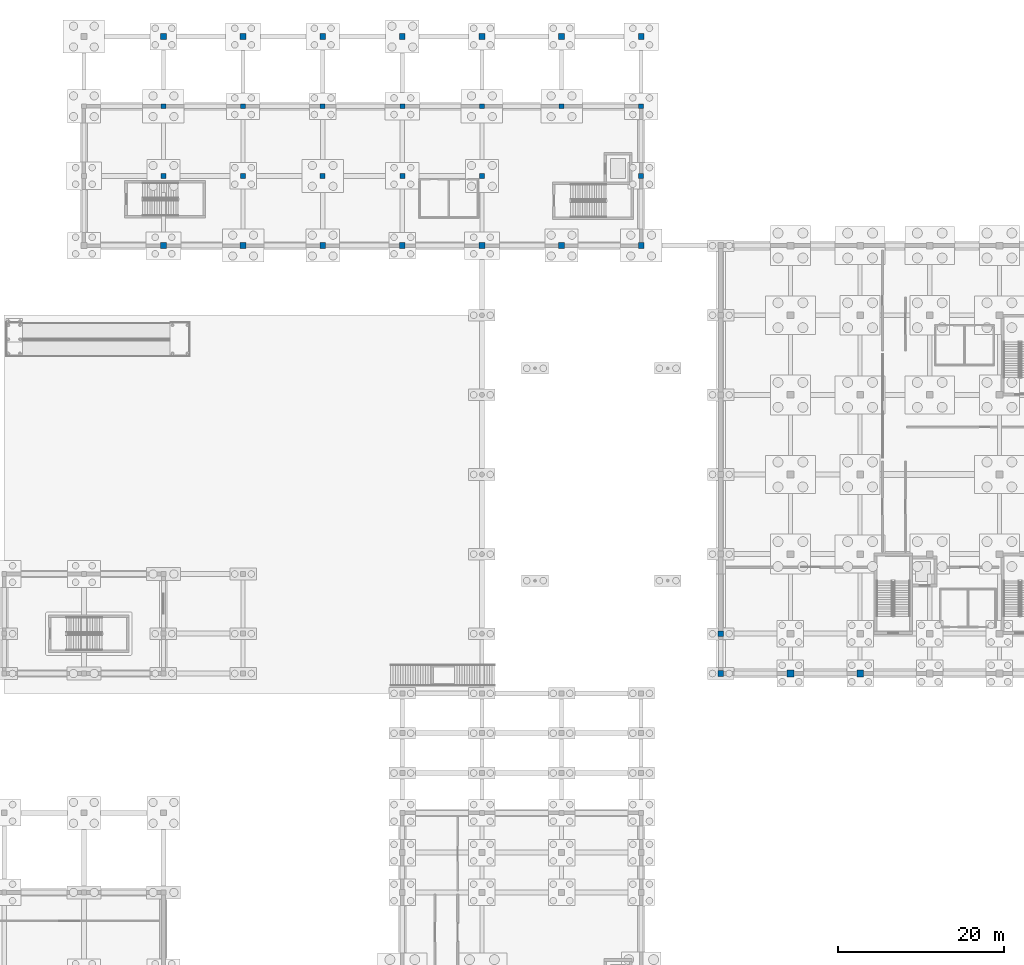
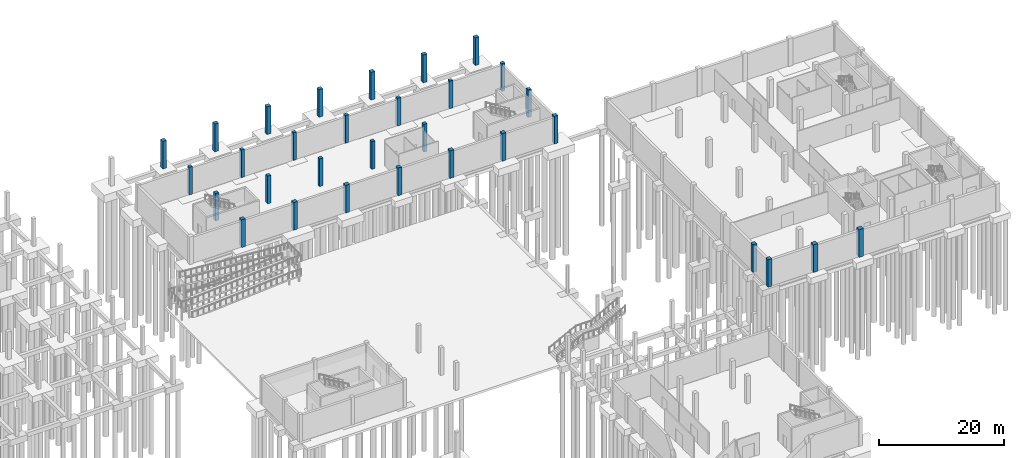
# One storey, part 17 of 41: 31 columns.
"""IFC4 building model written with IfcOpenShell, lengths in metres."""

import ifcopenshell
import ifcopenshell.guid

model = None  # the IFC model being written
_history = None  # IfcOwnerHistory: only IFC2X3 demands one
_inside = {}  # id of a spatial element -> (the spatial element, [elements in it])
_under = {}  # id of a project, library or spatial element -> (it, [spatial elements below it])
_declared = {}  # id of a project -> (the project, [libraries it declares])
_typed = {}  # id of a type object -> (the type object, [elements of that type])
_made_of = {}  # id of a material, layer set ... -> (it, [elements and type objects made of it])


def new_model(schema):
    """Start an empty IFC model of exactly this schema.

    Asked for "IFC4X3", IfcOpenShell would pick the latest addendum, in which some entities
    have other attributes; the version numbers below select the first issue.
    IFC2X3 requires an IfcOwnerHistory on every rooted entity: one is made here for all.
    """
    global model, _history
    if schema == "IFC4X3":
        model = ifcopenshell.file(schema_version=(4, 3, 0, 0))
    else:
        model = ifcopenshell.file(schema=schema)
    _inside.clear()
    _under.clear()
    _declared.clear()
    _typed.clear()
    _made_of.clear()
    _history = None
    if model.schema == "IFC2X3":
        org = make("IfcOrganization", Name="unknown")
        user = make(
            "IfcPersonAndOrganization",
            ThePerson=make("IfcPerson", FamilyName="unknown"),
            TheOrganization=org,
        )
        app = make(
            "IfcApplication",
            ApplicationDeveloper=org,
            Version="unknown",
            ApplicationFullName="unknown",
            ApplicationIdentifier="unknown",
        )
        _history = make(
            "IfcOwnerHistory",
            OwningUser=user,
            OwningApplication=app,
            ChangeAction="ADDED",
            CreationDate=0,
        )
    return model


def make(cls, **values):
    """One entity of the class cls with the attributes given. An attribute that is None is left unset."""
    return model.create_entity(
        cls, **{name: value for name, value in values.items() if value is not None}
    )


def rooted(cls, **values):
    """An entity with a GlobalId (a new one), such as an element, a storey or a relation."""
    return make(cls, GlobalId=ifcopenshell.guid.new(), OwnerHistory=_history, **values)


def si_unit(unit_type, name, prefix=None):
    """IfcSIUnit, for example si_unit("LENGTHUNIT", "METRE", prefix="MILLI")."""
    return make("IfcSIUnit", UnitType=unit_type, Prefix=prefix, Name=name)


def assignment(units):
    """IfcUnitAssignment: the units of a project."""
    return None if units is None else make("IfcUnitAssignment", Units=units)


def point(xyz):
    """IfcCartesianPoint."""
    return None if xyz is None else make("IfcCartesianPoint", Coordinates=xyz)


def direction(xyz):
    """IfcDirection."""
    return None if xyz is None else make("IfcDirection", DirectionRatios=xyz)


def frame(location, z_axis=None, x_axis=None):
    """IfcAxis2Placement3D, a coordinate frame: its origin and axes. An axis left out is left unset."""
    return make(
        "IfcAxis2Placement3D",
        Location=point(location),
        Axis=direction(z_axis),
        RefDirection=direction(x_axis),
    )


def frame_2d(location, x_axis=None):
    """IfcAxis2Placement2D, a coordinate frame in the plane: its origin and x axis."""
    return make(
        "IfcAxis2Placement2D", Location=point(location), RefDirection=direction(x_axis)
    )


def origin():
    """The frame at (0, 0, 0) with its axes left unset."""
    return frame((0.0, 0.0, 0.0))


def origin_2d():
    """The frame at (0, 0) in the plane with its x axis left unset."""
    return frame_2d((0.0, 0.0))


def place(relative_to, where):
    """IfcLocalPlacement: puts the frame where relative to a parent placement (None: the world)."""
    return make(
        "IfcLocalPlacement", PlacementRelTo=relative_to, RelativePlacement=where
    )


def context(
    kind, dimensions, precision=None, world=None, true_north=None, identifier=None
):
    """IfcGeometricRepresentationContext, for example the 3D "Model" context."""
    return make(
        "IfcGeometricRepresentationContext",
        ContextIdentifier=identifier,
        ContextType=kind,
        CoordinateSpaceDimension=dimensions,
        Precision=precision,
        WorldCoordinateSystem=world,
        TrueNorth=true_north,
    )


def subcontext(parent, identifier, kind, view, scale=None):
    """IfcGeometricRepresentationSubContext, for example "Body" below "Model"."""
    return make(
        "IfcGeometricRepresentationSubContext",
        ContextIdentifier=identifier,
        ContextType=kind,
        ParentContext=parent,
        TargetScale=scale,
        TargetView=view,
    )


def project(units=None, contexts=None):
    """IfcProject with its units and contexts."""
    return rooted(
        "IfcProject",
        Name="project",
        RepresentationContexts=contexts,
        UnitsInContext=assignment(units),
    )


def spatial(cls, under=None, at=None, **own):
    """A site, building, storey or space (cls), placed at a placement, below another one or the project."""
    s = rooted(cls, ObjectPlacement=at, **own)
    if under is not None:
        _under.setdefault(under.id(), (under, []))[1].append(s)
    return s


def profile(cls, at=None, kind="AREA", **sizes):
    """A parametric profile (cls). Its sizes go by their IFC names, for example OverallWidth=200.0."""
    return make(cls, ProfileType=kind, Position=at, **sizes)


def rectangle(**sizes):
    """IfcRectangleProfileDef."""
    return profile("IfcRectangleProfileDef", **sizes)


def extrude(swept, where, along, depth):
    """IfcExtrudedAreaSolid: the profile swept, set in the frame where, extruded along a direction by depth."""
    return make(
        "IfcExtrudedAreaSolid",
        SweptArea=swept,
        Position=where,
        ExtrudedDirection=direction(along),
        Depth=depth,
    )


def shape(context_of_items, identifier, shape_type, items):
    """IfcShapeRepresentation: the items that make up one representation, for example the "Body"."""
    return make(
        "IfcShapeRepresentation",
        ContextOfItems=context_of_items,
        RepresentationIdentifier=identifier,
        RepresentationType=shape_type,
        Items=items,
    )


def material(Name=None, Category=None):
    """IfcMaterial."""
    return make("IfcMaterial", Name=Name, Category=Category)


def material_profile(
    of_material, cross_section, Name=None, Category=None, Priority=None
):
    """IfcMaterialProfile: a cross section and its material."""
    return make(
        "IfcMaterialProfile",
        Name=Name,
        Material=of_material,
        Profile=cross_section,
        Priority=Priority,
        Category=Category,
    )


def profile_set(profiles, Name=None, composite=None):
    """IfcMaterialProfileSet."""
    return make(
        "IfcMaterialProfileSet",
        Name=Name,
        MaterialProfiles=profiles,
        CompositeProfile=composite,
    )


def made_of(thing, what):
    """Note that an element or type object is made of a material, layer set ...; save() writes the relation."""
    if what is not None:
        _made_of.setdefault(what.id(), (what, []))[1].append(thing)
    return thing


def type_object(cls, material=None, **own):
    """A type object (cls), such as IfcWallType, which elements share."""
    return made_of(rooted(cls, **own), material)


def element(
    cls,
    number,
    at=None,
    inside=None,
    cuts=None,
    type_object=None,
    material=None,
    context=None,
    identifier="Body",
    shape_type=None,
    held_by="IfcProductDefinitionShape",
    body=None,
    shapes=None,
    **own,
):
    """One element of the class cls, such as IfcWall. Its Tag is "e" and its number.

    at: its placement. inside: the storey or other place that contains it. cuts: it is an
    opening in that element (IfcRelVoidsElement). A single representation is given by context,
    identifier, shape_type and body (its items); several are given by shapes. held_by: the class
    of the entity that holds the representations. save() writes the other relations.
    """
    e = rooted(cls, Tag="e%d" % number, ObjectPlacement=at, **own)
    if body is not None:
        shapes = [shape(context, identifier, shape_type, body)]
    if shapes is not None:
        e.Representation = make(held_by, Representations=shapes)
    if inside is not None:
        _inside.setdefault(inside.id(), (inside, []))[1].append(e)
    if cuts is not None:
        rooted(
            "IfcRelVoidsElement", RelatingBuildingElement=cuts, RelatedOpeningElement=e
        )
    if type_object is not None:
        _typed.setdefault(type_object.id(), (type_object, []))[1].append(e)
    return made_of(e, material)


def aggregate(whole, parts):
    """IfcRelAggregates: a whole, such as a stair, and the parts it consists of."""
    return rooted("IfcRelAggregates", RelatingObject=whole, RelatedObjects=parts)


def save(model, path):
    """Write the relations noted so far, then the file.

    IfcRelAggregates (storeys below a building ...), IfcRelContainedInSpatialStructure (elements
    in a storey), IfcRelDefinesByType, IfcRelAssociatesMaterial and IfcRelDeclares: one each for
    every whole, place, type object, material and project.
    """
    for whole, parts in _under.values():
        aggregate(whole, parts)
    for where, things in _inside.values():
        rooted(
            "IfcRelContainedInSpatialStructure",
            RelatedElements=things,
            RelatingStructure=where,
        )
    for kind, things in _typed.values():
        rooted("IfcRelDefinesByType", RelatedObjects=things, RelatingType=kind)
    for what, things in _made_of.values():
        rooted("IfcRelAssociatesMaterial", RelatedObjects=things, RelatingMaterial=what)
    for by, libraries in _declared.values():
        rooted("IfcRelDeclares", RelatingContext=by, RelatedDefinitions=libraries)
    model.write(path)


model = new_model("IFC4")

# Units and contexts
model_context = context("Model", 3, precision=1e-05, world=origin(), true_north=direction((0.0, 1.0)))
body_context = subcontext(model_context, "Body", "Model", "MODEL_VIEW")
ifc_project = project(units=[si_unit("LENGTHUNIT", "METRE"), si_unit("AREAUNIT", "SQUARE_METRE"), si_unit("VOLUMEUNIT", "CUBIC_METRE"), si_unit("PLANEANGLEUNIT", "RADIAN"), si_unit("MASSUNIT", "GRAM", prefix="KILO")], contexts=[model_context])

# Site, building, storey
site_placement = place(None, origin())
site = spatial("IfcSite", under=ifc_project, at=site_placement, CompositionType="ELEMENT")
building_placement = place(site_placement, origin())
building = spatial("IfcBuilding", under=site, at=building_placement, Name="Shalvenor Court Art Gallery", CompositionType="ELEMENT")
storey_placement = place(building_placement, frame((0.0, 0.0, -5.39990234375)))
storey = spatial("IfcBuildingStorey", under=building, at=storey_placement, Name="B01", CompositionType="ELEMENT", Elevation=-5.39990234375)

# Columns
ifc_material_1 = material(Name="Concrete C40/50", Category="concrete")
ifc_material_profile_1 = material_profile(ifc_material_1, rectangle(XDim=0.800048828125, YDim=0.800048828125, at=origin_2d()), Name="RC 800x800")
ifc_profile_set_1 = profile_set([ifc_material_profile_1], Name="Concrete C40/50")
column_type_1 = type_object("IfcColumnType", Name="C-01", PredefinedType="COLUMN", material=ifc_profile_set_1)
for number, where, z_axis, x_axis, name in (
    (1, (142.800048828125, 45.60009765625, 0.0), (0.0, 0.0, 1.0), (1.0, 0.0, 0.0), "B01 Column COL-B01-C-01-0551"),
    (2, (151.199951171875, 45.60009765625, 0.0), (0.0, 0.0, 1.0), (1.0, 0.0, 0.0), "B01 Column COL-B01-C-01-0593"),
):
    element("IfcColumn", number, at=place(storey_placement, frame(where, z_axis=z_axis, x_axis=x_axis)), inside=storey, type_object=column_type_1, Name=name, PredefinedType="COLUMN", context=body_context, shape_type="SweptSolid", body=[
        extrude(rectangle(XDim=0.800048828125, YDim=0.800048828125, at=origin_2d()), origin(), (0.0, 0.0, 1.0), 5.39990234375),
    ])
ifc_material_2 = material(Name="Concrete C40/50", Category="concrete")
ifc_material_profile_2 = material_profile(ifc_material_2, rectangle(XDim=0.699951171875, YDim=0.699951171875, at=origin_2d()), Name="RC 700x700")
ifc_profile_set_2 = profile_set([ifc_material_profile_2], Name="Concrete C40/50")
column_type_2 = type_object("IfcColumnType", Name="C-02E", PredefinedType="COLUMN", material=ifc_profile_set_2)
for number, where, z_axis, x_axis, name in (
    (3, (67.199951171875, 97.199951171875, 0.0), (0.0, 0.0, 1.0), (1.0, 0.0, 0.0), "B01 Column COL-B01-C-02E-0278"),
    (4, (67.199951171875, 122.39990234375, 0.0), (0.0, 0.0, 1.0), (1.0, 0.0, 0.0), "B01 Column COL-B01-C-02E-0291"),
    (5, (76.800048828125, 97.199951171875, 0.0), (0.0, 0.0, 1.0), (1.0, 0.0, 0.0), "B01 Column COL-B01-C-02E-0302"),
    (6, (76.800048828125, 122.39990234375, 0.0), (0.0, 0.0, 1.0), (1.0, 0.0, 0.0), "B01 Column COL-B01-C-02E-0315"),
    (7, (86.39990234375, 97.199951171875, 0.0), (0.0, 0.0, 1.0), (1.0, 0.0, 0.0), "B01 Column COL-B01-C-02E-0320"),
    (8, (86.39990234375, 122.39990234375, 0.0), (0.0, 0.0, 1.0), (1.0, 0.0, 0.0), "B01 Column COL-B01-C-02E-0333"),
    (9, (96.0, 97.199951171875, 0.0), (0.0, 0.0, 1.0), (1.0, 0.0, 0.0), "B01 Column COL-B01-C-02E-0371"),
    (10, (96.0, 122.39990234375, 0.0), (0.0, 0.0, 1.0), (1.0, 0.0, 0.0), "B01 Column COL-B01-C-02E-0384"),
    (11, (105.60009765625, 97.199951171875, 0.0), (0.0, 0.0, 1.0), (1.0, 0.0, 0.0), "B01 Column COL-B01-C-02E-0427"),
    (12, (105.60009765625, 122.39990234375, 0.0), (0.0, 0.0, 1.0), (1.0, 0.0, 0.0), "B01 Column COL-B01-C-02E-0440"),
    (13, (115.199951171875, 97.199951171875, 0.0), (0.0, 0.0, 1.0), (1.0, 0.0, 0.0), "B01 Column COL-B01-C-02E-0472"),
    (14, (115.199951171875, 122.39990234375, 0.0), (0.0, 0.0, 1.0), (1.0, 0.0, 0.0), "B01 Column COL-B01-C-02E-0481"),
    (15, (124.800048828125, 97.199951171875, 0.0), (0.0, 0.0, 1.0), (1.0, 0.0, 0.0), "B01 Column COL-B01-C-02E-0519"),
    (16, (124.800048828125, 122.39990234375, 0.0), (0.0, 0.0, 1.0), (1.0, 0.0, 0.0), "B01 Column COL-B01-C-02E-0532"),
    (17, (134.39990234375, 45.60009765625, 0.0), (0.0, 0.0, 1.0), (1.0, 0.0, 0.0), "B01 Column COL-B01-C-02E-0537"),
    (18, (134.39990234375, 50.39990234375, 0.0), (0.0, 0.0, 1.0), (1.0, 0.0, 0.0), "B01 Column COL-B01-C-02E-0539"),
):
    element("IfcColumn", number, at=place(storey_placement, frame(where, z_axis=z_axis, x_axis=x_axis)), inside=storey, type_object=column_type_2, Name=name, PredefinedType="COLUMN", context=body_context, shape_type="SweptSolid", body=[
        extrude(rectangle(XDim=0.699951171875, YDim=0.699951171875, at=origin_2d()), origin(), (0.0, 0.0, 1.0), 5.39990234375),
    ])
ifc_material_3 = material(Name="Concrete C40/50", Category="concrete")
ifc_material_profile_3 = material_profile(ifc_material_3, rectangle(XDim=0.60009765625, YDim=0.60009765625, at=origin_2d()), Name="RC 600x600")
ifc_profile_set_3 = profile_set([ifc_material_profile_3], Name="Concrete C40/50")
column_type_3 = type_object("IfcColumnType", Name="C-03", PredefinedType="COLUMN", material=ifc_profile_set_3)
for number, where, z_axis, x_axis, name in (
    (19, (67.199951171875, 105.60009765625, 0.0), (0.0, 0.0, 1.0), (1.0, 0.0, 0.0), "B01 Column COL-B01-C-03-0283"),
    (20, (67.199951171875, 114.0, 0.0), (0.0, 0.0, 1.0), (1.0, 0.0, 0.0), "B01 Column COL-B01-C-03-0287"),
    (21, (76.800048828125, 105.60009765625, 0.0), (0.0, 0.0, 1.0), (1.0, 0.0, 0.0), "B01 Column COL-B01-C-03-0307"),
    (22, (76.800048828125, 114.0, 0.0), (0.0, 0.0, 1.0), (1.0, 0.0, 0.0), "B01 Column COL-B01-C-03-0311"),
    (23, (86.39990234375, 105.60009765625, 0.0), (0.0, 0.0, 1.0), (1.0, 0.0, 0.0), "B01 Column COL-B01-C-03-0325"),
    (24, (86.39990234375, 114.0, 0.0), (0.0, 0.0, 1.0), (1.0, 0.0, 0.0), "B01 Column COL-B01-C-03-0329"),
    (25, (96.0, 105.60009765625, 0.0), (0.0, 0.0, 1.0), (1.0, 0.0, 0.0), "B01 Column COL-B01-C-03-0376"),
    (26, (96.0, 114.0, 0.0), (0.0, 0.0, 1.0), (1.0, 0.0, 0.0), "B01 Column COL-B01-C-03-0380"),
    (27, (105.60009765625, 105.60009765625, 0.0), (0.0, 0.0, 1.0), (1.0, 0.0, 0.0), "B01 Column COL-B01-C-03-0432"),
    (28, (105.60009765625, 114.0, 0.0), (0.0, 0.0, 1.0), (1.0, 0.0, 0.0), "B01 Column COL-B01-C-03-0436"),
    (29, (115.199951171875, 114.0, 0.0), (0.0, 0.0, 1.0), (1.0, 0.0, 0.0), "B01 Column COL-B01-C-03-0477"),
):
    element("IfcColumn", number, at=place(storey_placement, frame(where, z_axis=z_axis, x_axis=x_axis)), inside=storey, type_object=column_type_3, Name=name, PredefinedType="COLUMN", context=body_context, shape_type="SweptSolid", body=[
        extrude(rectangle(XDim=0.60009765625, YDim=0.60009765625, at=origin_2d()), origin(), (0.0, 0.0, 1.0), 5.39990234375),
    ])
ifc_material_4 = material(Name="Concrete C40/50", Category="concrete")
ifc_material_profile_4 = material_profile(ifc_material_4, rectangle(XDim=0.60009765625, YDim=0.60009765625, at=origin_2d()), Name="RC 600x600")
ifc_profile_set_4 = profile_set([ifc_material_profile_4], Name="Concrete C40/50")
column_type_4 = type_object("IfcColumnType", Name="C-03E", PredefinedType="COLUMN", material=ifc_profile_set_4)
for number, where, z_axis, x_axis, name in (
    (30, (124.800048828125, 105.60009765625, 0.0), (0.0, 0.0, 1.0), (1.0, 0.0, 0.0), "B01 Column COL-B01-C-03E-0524"),
    (31, (124.800048828125, 114.0, 0.0), (0.0, 0.0, 1.0), (1.0, 0.0, 0.0), "B01 Column COL-B01-C-03E-0528"),
):
    element("IfcColumn", number, at=place(storey_placement, frame(where, z_axis=z_axis, x_axis=x_axis)), inside=storey, type_object=column_type_4, Name=name, PredefinedType="COLUMN", context=body_context, shape_type="SweptSolid", body=[
        extrude(rectangle(XDim=0.60009765625, YDim=0.60009765625, at=origin_2d()), origin(), (0.0, 0.0, 1.0), 5.39990234375),
    ])

save(model, "model.ifc")
